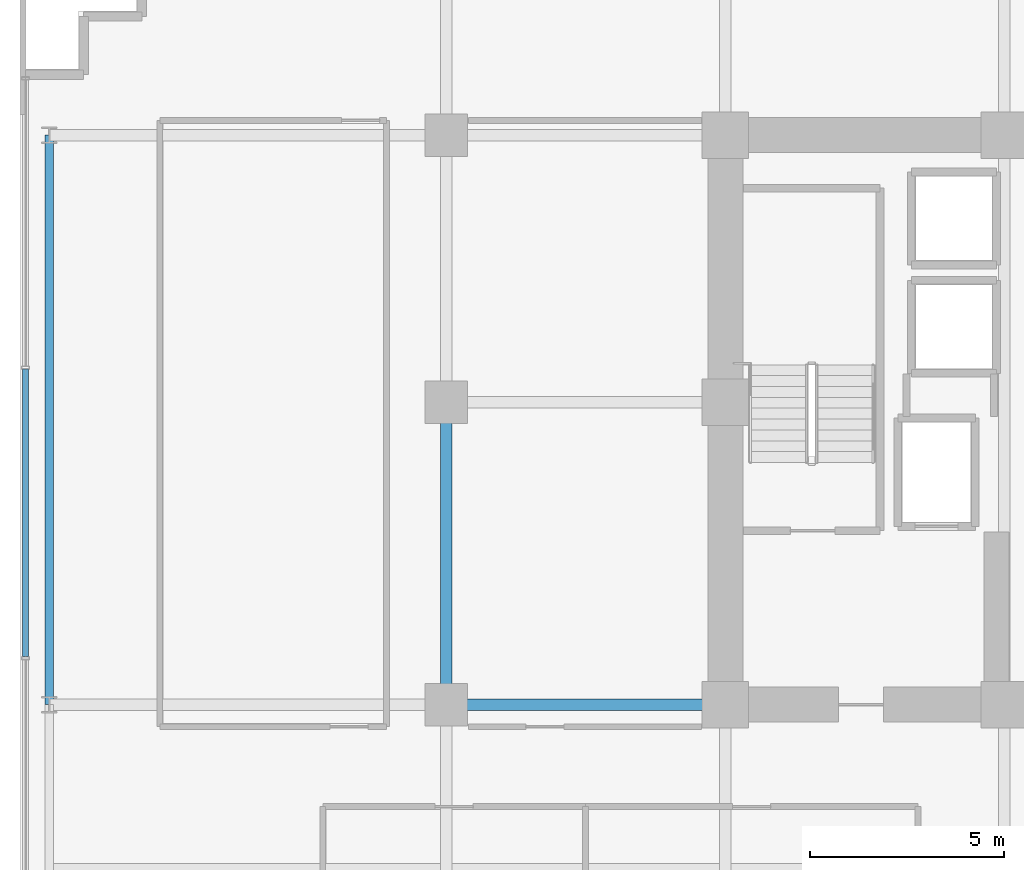
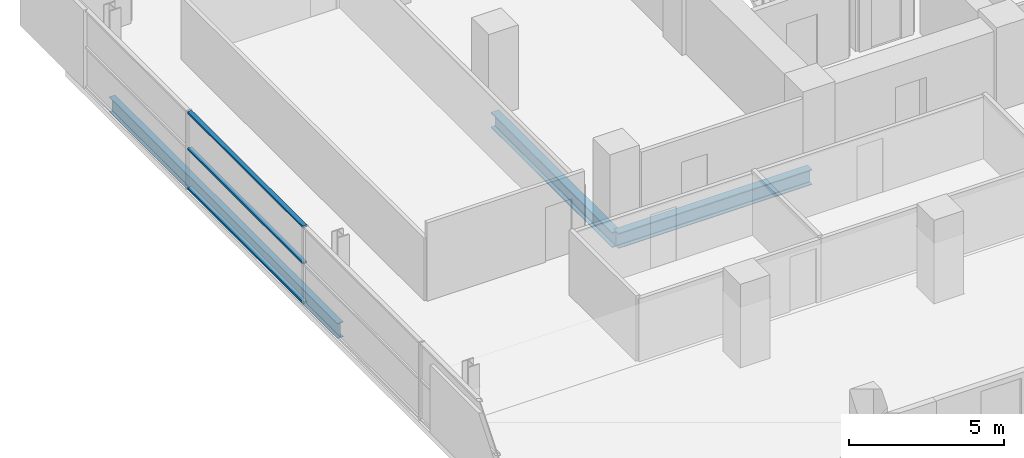
# One storey, part 9 of 30: 3 beams, 3 members, 1 element without a shape of its own.
"""IFC4 building model written with IfcOpenShell, lengths in metres."""

from ifc_helpers import new_model, si_unit, direction, frame, origin, origin_2d, place, context, subcontext, project, spatial, hollow_rectangle, i_section, extrude, source, transform, mapped, material, layer, layer_set, material_profile, profile_set, type_object, element, aggregate, save


model = new_model("IFC4")

# Units and contexts
model_context = context("Model", 3, precision=1e-05, world=origin(), true_north=direction((0.0, 1.0)))
body_context = subcontext(model_context, "Body", "Model", "MODEL_VIEW")
ifc_project = project(units=[si_unit("LENGTHUNIT", "METRE"), si_unit("AREAUNIT", "SQUARE_METRE"), si_unit("VOLUMEUNIT", "CUBIC_METRE"), si_unit("PLANEANGLEUNIT", "RADIAN"), si_unit("MASSUNIT", "GRAM", prefix="KILO")], contexts=[model_context])

# Site, building, storey
site_placement = place(None, origin())
site = spatial("IfcSite", under=ifc_project, at=site_placement, CompositionType="ELEMENT")
building_placement = place(site_placement, origin())
building = spatial("IfcBuilding", under=site, at=building_placement, Name="Zarnakvel Exchange Tower", CompositionType="ELEMENT")
storey_placement = place(building_placement, frame((0.0, 0.0, 43.89990234375)))
storey = spatial("IfcBuildingStorey", under=building, at=storey_placement, Name="L11", CompositionType="ELEMENT", Elevation=43.89990234375)

# Beams
ifc_material_1 = material(Name="Steel S355", Category="steel")
ifc_material_profile_1 = material_profile(ifc_material_1, i_section(OverallWidth=0.300048828125, OverallDepth=0.60009765625, WebThickness=0.015380859375, FlangeThickness=0.030029296875, FilletRadius=0.027099609375, at=origin_2d()))
ifc_profile_set_1 = profile_set([ifc_material_profile_1], Name="Steel S355")
beam_type_1 = type_object("IfcBeamType", Name="G-04", PredefinedType="BEAM", material=ifc_profile_set_1)
beam_1_placement = place(storey_placement, frame((-21.60009765625, -1.199951171875, -0.52490234375), z_axis=(1.0, 0.0, 0.0), x_axis=(0.0, 1.0, 0.0)))
element("IfcBeam", 1, at=beam_1_placement, inside=storey, type_object=beam_type_1, Name="L11 Tower E-W Frame Beam", PredefinedType="BEAM", context=body_context, shape_type="SweptSolid", body=[
    extrude(i_section(OverallWidth=0.300048828125, OverallDepth=0.60009765625, WebThickness=0.015380859375, FlangeThickness=0.030029296875, FilletRadius=0.027099609375, at=origin_2d()), origin(), (0.0, 0.0, 1.0), 7.2001953125),
])
beam_2_placement = place(storey_placement, frame((-21.60009765625, -1.199951171875, -0.52490234375), z_axis=(0.0, 1.0, 0.0), x_axis=(-1.0, 0.0, 0.0)))
element("IfcBeam", 2, at=beam_2_placement, inside=storey, type_object=beam_type_1, Name="L11 Tower N-S Frame Beam", PredefinedType="BEAM", context=body_context, shape_type="SweptSolid", body=[
    extrude(i_section(OverallWidth=0.300048828125, OverallDepth=0.60009765625, WebThickness=0.015380859375, FlangeThickness=0.030029296875, FilletRadius=0.027099609375, at=origin_2d()), origin(), (0.0, 0.0, 1.0), 7.800048828125),
])
ifc_material_profile_2 = material_profile(ifc_material_1, i_section(OverallWidth=0.219970703125, OverallDepth=0.60009765625, WebThickness=0.011962890625, FlangeThickness=0.01904296875, FilletRadius=0.02392578125, at=origin_2d()))
ifc_profile_set_2 = profile_set([ifc_material_profile_2], Name="Steel S355")
beam_type_2 = type_object("IfcBeamType", Name="SP-01", PredefinedType="SPANDREL", material=ifc_profile_set_2)
beam_3_placement = place(storey_placement, frame((-31.85009765625, -1.199951171875, -0.52490234375), z_axis=(0.0, 1.0, 0.0), x_axis=(-1.0, 0.0, 0.0)))
element("IfcBeam", 3, at=beam_3_placement, inside=storey, type_object=beam_type_2, Name="L11 Tower N-S Frame Beam", PredefinedType="SPANDREL", context=body_context, shape_type="SweptSolid", body=[
    extrude(i_section(OverallWidth=0.219970703125, OverallDepth=0.60009765625, WebThickness=0.011962890625, FlangeThickness=0.01904296875, FilletRadius=0.02392578125, at=origin_2d()), origin(), (0.0, 0.0, 1.0), 14.699951171875),
])

# Curtain wall, members
ifc_material_2 = material(Name="Architectural Bronze Anodised Aluminium", Category="aluminium")
ifc_layer = layer(ifc_material_2, 0.199951171875)
ifc_layer_set = layer_set([ifc_layer], Name="Architectural Bronze Anodised Aluminium")
curtain_wall_type = type_object("IfcCurtainWallType", Name="CW-04", PredefinedType="NOTDEFINED", material=ifc_layer_set)
curtain_wall_placement = place(storey_placement, origin())
curtain_wall = element("IfcCurtainWall", 4, at=curtain_wall_placement, inside=storey, type_object=curtain_wall_type, Name="L11 Curtain Wall CW-L11-W1 (CW-04)", PredefinedType="NOTDEFINED")
ifc_material_profile_3 = material_profile(ifc_material_2, hollow_rectangle(XDim=0.159912109375, YDim=0.074951171875, WallThickness=0.00390625, at=origin_2d()))
ifc_profile_set_3 = profile_set([ifc_material_profile_3], Name="Architectural Bronze Anodised Aluminium")
member_type = type_object("IfcMemberType", Name="CWT-04", PredefinedType="USERDEFINED", material=ifc_profile_set_3)
shared_shape = source(origin(), body_context, "Body", "SweptSolid", [
    extrude(hollow_rectangle(XDim=0.159912109375, YDim=0.074951171875, WallThickness=0.00390625, at=origin_2d()), origin(), (0.0, 0.0, 1.0), 7.4248046875),
])
member_1_placement = place(storey_placement, frame((-32.4599609375, 0.03759765625, 0.03759765625), z_axis=(0.0, 1.0, 0.0), x_axis=(-1.0, 0.0, 0.0)))
member_1 = element("IfcMember", 5, at=member_1_placement, type_object=member_type, Name="CW-04 transom 3.1", ObjectType="TRANSOM", PredefinedType="USERDEFINED", context=body_context, shape_type="MappedRepresentation", body=[
    mapped(shared_shape, transform((0.0, 0.0, 0.0), x_axis=(1.0, 0.0, 0.0), y_axis=(0.0, 1.0, 0.0), z_axis=(0.0, 0.0, 1.0), scale=1.0)),
])
member_2_placement = place(storey_placement, frame((-32.4599609375, 0.03759765625, 1.588623046875), z_axis=(0.0, 1.0, 0.0), x_axis=(-1.0, 0.0, 0.0)))
member_2 = element("IfcMember", 6, at=member_2_placement, type_object=member_type, Name="CW-04 transom 3.2", ObjectType="TRANSOM", PredefinedType="USERDEFINED", context=body_context, shape_type="MappedRepresentation", body=[
    mapped(shared_shape, transform((0.0, 0.0, 0.0), x_axis=(1.0, 0.0, 0.0), y_axis=(0.0, 1.0, 0.0), z_axis=(0.0, 0.0, 1.0), scale=1.0)),
])
member_3_placement = place(storey_placement, frame((-32.4599609375, 0.03759765625, 3.017578125), z_axis=(0.0, 1.0, 0.0), x_axis=(-1.0, 0.0, 0.0)))
member_3 = element("IfcMember", 7, at=member_3_placement, type_object=member_type, Name="CW-04 transom 3.3", ObjectType="TRANSOM", PredefinedType="USERDEFINED", context=body_context, shape_type="MappedRepresentation", body=[
    mapped(shared_shape, transform((0.0, 0.0, 0.0), x_axis=(1.0, 0.0, 0.0), y_axis=(0.0, 1.0, 0.0), z_axis=(0.0, 0.0, 1.0), scale=1.0)),
])
aggregate(curtain_wall, [member_1, member_2, member_3])

save(model, "model.ifc")
